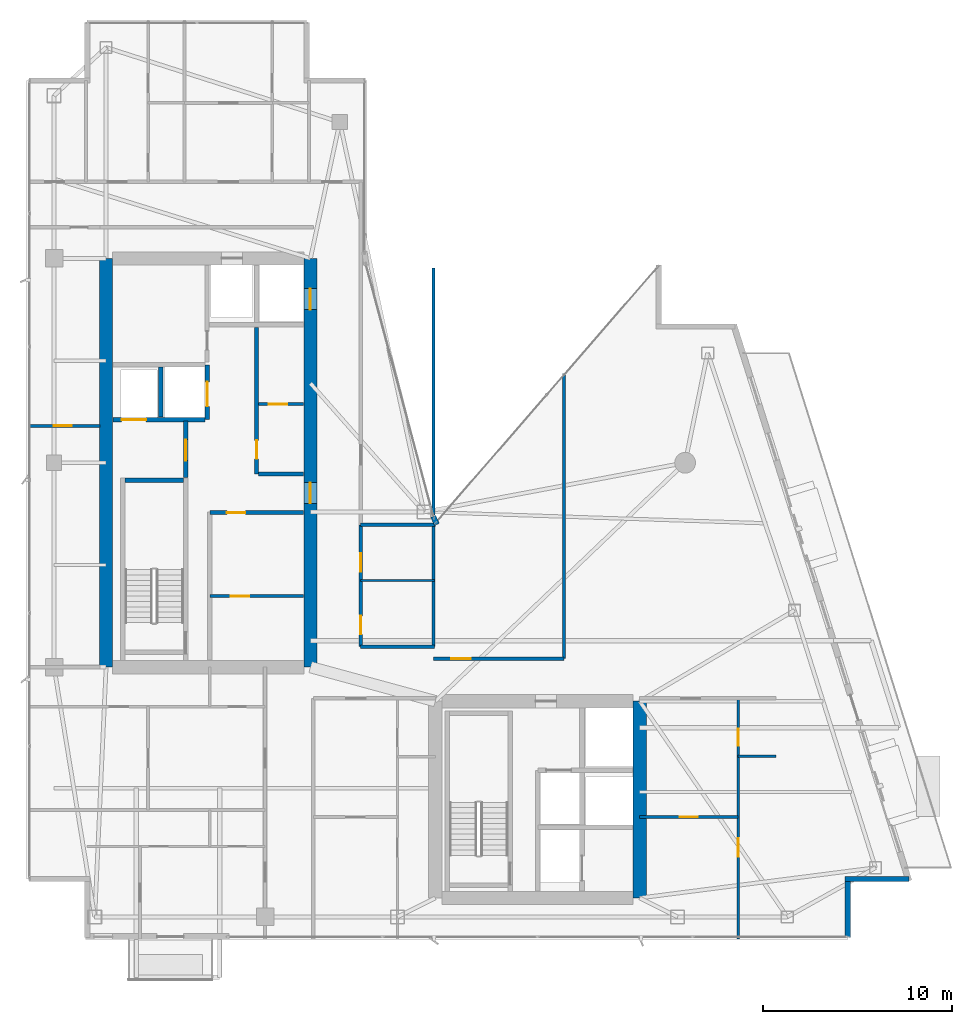
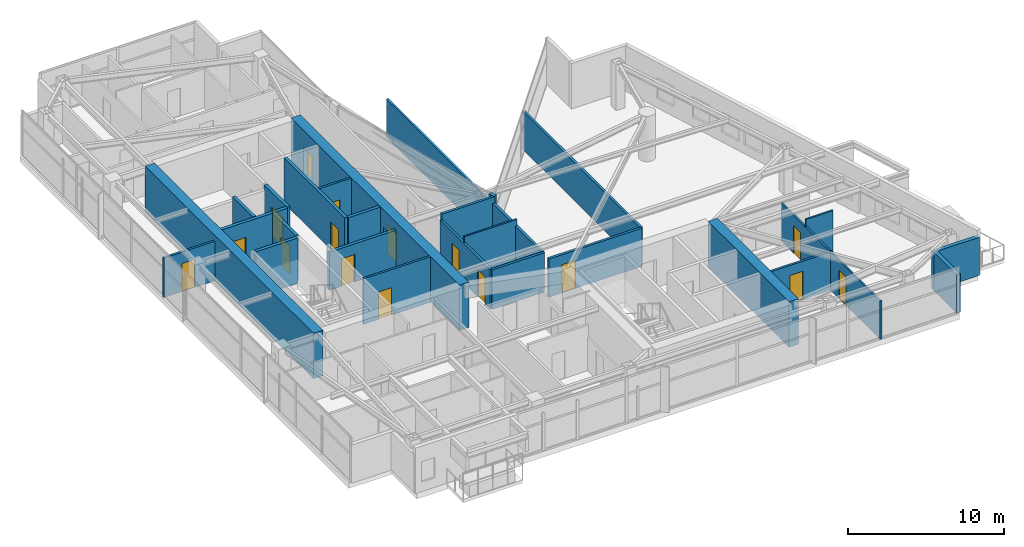
# One storey, part 24 of 28: 28 walls, 16 doors, 16 openings.
"""IFC4 building model written with IfcOpenShell, lengths in metres."""

from ifc_helpers import new_model, si_unit, direction, frame, frame_2d, origin, place, context, subcontext, project, spatial, rectangle, extrude, material, layer, layer_set, type_object, element, fill, save


model = new_model("IFC4")

# Units and contexts
model_context = context("Model", 3, precision=1e-05, world=origin(), true_north=direction((0.0, 1.0)))
body_context = subcontext(model_context, "Body", "Model", "MODEL_VIEW")
ifc_project = project(units=[si_unit("LENGTHUNIT", "METRE"), si_unit("AREAUNIT", "SQUARE_METRE"), si_unit("VOLUMEUNIT", "CUBIC_METRE"), si_unit("PLANEANGLEUNIT", "RADIAN"), si_unit("MASSUNIT", "GRAM", prefix="KILO")], contexts=[model_context])

# Site, building, storey
site_placement = place(None, origin())
site = spatial("IfcSite", under=ifc_project, at=site_placement, CompositionType="ELEMENT")
building_placement = place(site_placement, origin())
building = spatial("IfcBuilding", under=site, at=building_placement, Name="Calvorn Quay Hotel", CompositionType="ELEMENT")
storey_placement = place(building_placement, frame((0.0, 0.0, 243.800048828125)))
storey = spatial("IfcBuildingStorey", under=building, at=storey_placement, Name="L60", CompositionType="ELEMENT", Elevation=243.800048828125)

# Wall
ifc_material_1 = material(Name="Concrete C45", Category="concrete")
ifc_layer_1 = layer(ifc_material_1, 0.699951171875)
ifc_layer_set_1 = layer_set([ifc_layer_1], Name="WL-CORE-700")
wall_type_1 = type_object("IfcWallType", Name="WL-CORE-700", PredefinedType="SHEAR", material=ifc_layer_set_1)
wall_1_placement = place(storey_placement, frame((4.199951171875, 16.800048828125, 0.0), z_axis=(0.0, 0.0, 1.0), x_axis=(0.0, 1.0, 0.0)))
element("IfcWall", 1, at=wall_1_placement, inside=storey, type_object=wall_type_1, Name="West Core Shear Wall W (L60)", PredefinedType="SHEAR", context=body_context, shape_type="SweptSolid", body=[
    extrude(rectangle(XDim=21.599853515625, YDim=0.699951171875, at=frame_2d((10.7998046875, 0.0))), origin(), (0.0, 0.0, 1.0), 3.56005859375),
])

# Wall, openings, doors
wall_2_placement = place(storey_placement, frame((15.0, 16.800048828125, 0.0), z_axis=(0.0, 0.0, 1.0), x_axis=(0.0, 1.0, 0.0)))
wall_2 = element("IfcWall", 2, at=wall_2_placement, inside=storey, type_object=wall_type_1, Name="West Core Shear Wall E (L60)", PredefinedType="SHEAR", context=body_context, shape_type="SweptSolid", body=[
    extrude(rectangle(XDim=21.599853515625, YDim=0.699951171875, at=frame_2d((10.7998046875, 0.0))), origin(), (0.0, 0.0, 1.0), 3.56005859375),
])
opening_1_placement = place(wall_2_placement, frame((8.64990234375, 0.0, 0.0)))
opening_1 = element("IfcOpeningElement", 3, at=opening_1_placement, cuts=wall_2, Name="Opening D-L60-CW1", PredefinedType="OPENING", context=body_context, shape_type="SweptSolid", body=[
    extrude(rectangle(XDim=1.10009765625, YDim=2.199951171875, at=frame_2d((0.550048828125, 1.10009765625))), frame((0.0, 0.35986328125, 0.0), z_axis=(0.0, -1.0, 0.0), x_axis=(1.0, 0.0, 0.0)), (0.0, 0.0, 1.0), 0.719970703125),
])
opening_2_placement = place(wall_2_placement, frame((18.89990234375, 0.0, 0.0)))
opening_2 = element("IfcOpeningElement", 4, at=opening_2_placement, cuts=wall_2, Name="Opening LD-L60-H1", PredefinedType="OPENING", context=body_context, shape_type="SweptSolid", body=[
    extrude(rectangle(XDim=1.10009765625, YDim=2.199951171875, at=frame_2d((0.550048828125, 1.10009765625))), frame((0.0, 0.35986328125, 0.0), z_axis=(0.0, -1.0, 0.0), x_axis=(1.0, 0.0, 0.0)), (0.0, 0.0, 1.0), 0.719970703125),
])
ifc_material_2 = material(Name="Smoke-Sealed Steel Class A Fire Door", Category="steel")
door_type_1 = type_object("IfcDoorType", Name="DR-FFLOBBY-1100", OperationType="NOTDEFINED", PredefinedType="DOOR", material=ifc_material_2)
door_1_placement = place(opening_1_placement, origin())
door_1 = element("IfcDoor", 5, at=door_1_placement, inside=storey, type_object=door_type_1, Name="West Core Vestibule Fire Door (L60)", OperationType="SINGLE_SWING_LEFT", OverallHeight=2.199951171875, OverallWidth=1.10009765625, PredefinedType="DOOR", context=body_context, shape_type="SweptSolid", body=[
    extrude(rectangle(XDim=1.10009765625, YDim=2.199951171875, at=frame_2d((0.550048828125, 1.10009765625))), frame((0.0, 0.02490234375, 0.0), z_axis=(0.0, -1.0, 0.0), x_axis=(1.0, 0.0, 0.0)), (0.0, 0.0, 1.0), 0.050048828125),
])
fill(opening_1, door_1)
ifc_material_3 = material(Name="Brushed Stainless Steel Sliding Lift Landing Door", Category="steel")
door_type_2 = type_object("IfcDoorType", Name="DR-LIFT-PASS-1100", OperationType="NOTDEFINED", PredefinedType="DOOR", material=ifc_material_3)
door_2_placement = place(opening_2_placement, origin())
door_2 = element("IfcDoor", 6, at=door_2_placement, inside=storey, type_object=door_type_2, Name="High-Rise Lift PL-H1 Landing Door (L60)", OperationType="DOUBLE_DOOR_SLIDING", OverallHeight=2.199951171875, OverallWidth=1.10009765625, PredefinedType="DOOR", context=body_context, shape_type="SweptSolid", body=[
    extrude(rectangle(XDim=1.10009765625, YDim=2.199951171875, at=frame_2d((0.550048828125, 1.10009765625))), frame((0.0, 0.02490234375, 0.0), z_axis=(0.0, -1.0, 0.0), x_axis=(1.0, 0.0, 0.0)), (0.0, 0.0, 1.0), 0.050048828125),
])
fill(opening_2, door_2)

# Walls
wall_3_placement = place(storey_placement, frame((32.39990234375, 4.60009765625, 0.0), z_axis=(0.0, 0.0, 1.0), x_axis=(0.0, 1.0, 0.0)))
element("IfcWall", 7, at=wall_3_placement, inside=storey, type_object=wall_type_1, Name="East Core Shear Wall E (L60)", PredefinedType="SHEAR", context=body_context, shape_type="SweptSolid", body=[
    extrude(rectangle(XDim=10.39990234375, YDim=0.699951171875, at=frame_2d((5.199951171875, 0.0))), origin(), (0.0, 0.0, 1.0), 3.56005859375),
])
ifc_material_4 = material(Name="Acoustic Fireboard Steel-Stud Partition", Category="steel")
ifc_layer_2 = layer(ifc_material_4, 0.179931640625)
ifc_layer_set_2 = layer_set([ifc_layer_2], Name="WL-CORR-FIRE-180")
wall_type_2 = type_object("IfcWallType", Name="WL-CORR-FIRE-180", PredefinedType="PARTITIONING", material=ifc_layer_set_2)
wall_4_placement = place(storey_placement, frame((17.64990234375, 17.8798828125, 0.0), z_axis=(0.0, 0.0, 1.0), x_axis=(1.0, 0.0, 0.0)))
element("IfcWall", 8, at=wall_4_placement, inside=storey, type_object=wall_type_2, Name="Partition Wall L60-WL-HK-S", PredefinedType="PARTITIONING", context=body_context, shape_type="SweptSolid", body=[
    extrude(rectangle(XDim=3.900146484375, YDim=0.179931640625, at=frame_2d((1.9501953125, 0.0))), origin(), (0.0, 0.0, 1.0), 3.08984375),
])
wall_5_placement = place(storey_placement, frame((17.64990234375, 24.320068359375, 0.0), z_axis=(0.0, 0.0, 1.0), x_axis=(1.0, 0.0, 0.0)))
element("IfcWall", 9, at=wall_5_placement, inside=storey, type_object=wall_type_2, Name="Partition Wall L60-WL-HK-N", PredefinedType="PARTITIONING", context=body_context, shape_type="SweptSolid", body=[
    extrude(rectangle(XDim=3.9501953125, YDim=0.179931640625, at=frame_2d((1.97509765625, 0.0))), origin(), (0.0, 0.0, 1.0), 3.56005859375),
])
wall_6_placement = place(storey_placement, frame((21.5, 17.8798828125, 0.0), z_axis=(0.0, 0.0, 1.0), x_axis=(0.0, 1.0, 0.0)))
element("IfcWall", 10, at=wall_6_placement, inside=storey, type_object=wall_type_2, Name="Partition Wall L60-WL-HK-E", PredefinedType="PARTITIONING", context=body_context, shape_type="SweptSolid", body=[
    extrude(rectangle(XDim=6.440185546875, YDim=0.179931640625, at=frame_2d((3.22021484375, 0.0))), origin(), (0.0, 0.0, 1.0), 3.08984375),
])

# Wall, openings, doors
wall_7_placement = place(storey_placement, frame((17.64990234375, 17.8798828125, 0.0), z_axis=(0.0, 0.0, 1.0), x_axis=(0.0, 1.0, 0.0)))
wall_7 = element("IfcWall", 11, at=wall_7_placement, inside=storey, type_object=wall_type_2, Name="Partition Wall L60-WL-HK-W", PredefinedType="PARTITIONING", context=body_context, shape_type="SweptSolid", body=[
    extrude(rectangle(XDim=6.440185546875, YDim=0.179931640625, at=frame_2d((3.22021484375, 0.0))), origin(), (0.0, 0.0, 1.0), 3.08984375),
])
opening_3_placement = place(wall_7_placement, frame((0.64990234375, 0.0, 0.0)))
opening_3 = element("IfcOpeningElement", 12, at=opening_3_placement, cuts=wall_7, Name="Opening D-L60-HK", PredefinedType="OPENING", context=body_context, shape_type="SweptSolid", body=[
    extrude(rectangle(XDim=0.97998046875, YDim=2.14990234375, at=frame_2d((0.489990234375, 1.074951171875))), frame((0.0, 0.099853515625, 0.0), z_axis=(0.0, -1.0, 0.0), x_axis=(1.0, 0.0, 0.0)), (0.0, 0.0, 1.0), 0.199951171875),
])
opening_4_placement = place(wall_7_placement, frame((3.969970703125, 0.0, 0.0)))
opening_4 = element("IfcOpeningElement", 13, at=opening_4_placement, cuts=wall_7, Name="Opening D-L60-NCP", PredefinedType="OPENING", context=body_context, shape_type="SweptSolid", body=[
    extrude(rectangle(XDim=0.9599609375, YDim=2.199951171875, at=frame_2d((0.47998046875, 1.10009765625))), frame((0.0, 0.099853515625, 0.0), z_axis=(0.0, -1.0, 0.0), x_axis=(1.0, 0.0, 0.0)), (0.0, 0.0, 1.0), 0.199951171875),
])
ifc_material_5 = material(Name="Painted Steel Housekeeping/Riser Fire Door", Category="steel")
door_type_3 = type_object("IfcDoorType", Name="DR-SERVICE-980", OperationType="NOTDEFINED", PredefinedType="DOOR", material=ifc_material_5)
door_3_placement = place(opening_3_placement, origin())
door_3 = element("IfcDoor", 14, at=door_3_placement, inside=storey, type_object=door_type_3, Name="Floor Housekeeping Door (L60)", OperationType="SINGLE_SWING_LEFT", OverallHeight=2.14990234375, OverallWidth=0.97998046875, PredefinedType="DOOR", context=body_context, shape_type="SweptSolid", body=[
    extrude(rectangle(XDim=0.97998046875, YDim=2.14990234375, at=frame_2d((0.489990234375, 1.074951171875))), frame((0.0, 0.02490234375, 0.0), z_axis=(0.0, -1.0, 0.0), x_axis=(1.0, 0.0, 0.0)), (0.0, 0.0, 1.0), 0.050048828125),
])
fill(opening_3, door_3)
ifc_material_6 = material(Name="Solid Timber Internal Suite Door", Category="wood")
door_type_4 = type_object("IfcDoorType", Name="DR-SUITE-INT-960", OperationType="NOTDEFINED", PredefinedType="DOOR", material=ifc_material_6)
door_4_placement = place(opening_4_placement, origin())
door_4 = element("IfcDoor", 15, at=door_4_placement, inside=storey, type_object=door_type_4, Name="Reading Alcove Door (L60)", OperationType="SINGLE_SWING_RIGHT", OverallHeight=2.199951171875, OverallWidth=0.9599609375, PredefinedType="DOOR", context=body_context, shape_type="SweptSolid", body=[
    extrude(rectangle(XDim=0.9599609375, YDim=2.199951171875, at=frame_2d((0.47998046875, 1.10009765625))), frame((0.0, 0.02490234375, 0.0), z_axis=(0.0, -1.0, 0.0), x_axis=(1.0, 0.0, 0.0)), (0.0, 0.0, 1.0), 0.050048828125),
])
fill(opening_4, door_4)

# Wall, opening, door
wall_8_placement = place(storey_placement, frame((21.5, 17.25, 0.0), z_axis=(0.0, 0.0, 1.0), x_axis=(1.0, 0.0, 0.0)))
wall_8 = element("IfcWall", 16, at=wall_8_placement, inside=storey, type_object=wall_type_2, Name="Partition Wall L60-WL-CORR-NE-N", PredefinedType="PARTITIONING", context=body_context, shape_type="SweptSolid", body=[
    extrude(rectangle(XDim=6.89990234375, YDim=0.179931640625, at=frame_2d((3.449951171875, 0.0))), origin(), (0.0, 0.0, 1.0), 2.989990234375),
])
opening_5_placement = place(wall_8_placement, frame((0.949951171875, 0.0, 0.0)))
opening_5 = element("IfcOpeningElement", 17, at=opening_5_placement, cuts=wall_8, Name="Opening D-L60-NS1", PredefinedType="OPENING", context=body_context, shape_type="SweptSolid", body=[
    extrude(rectangle(XDim=1.02001953125, YDim=2.199951171875, at=frame_2d((0.510009765625, 1.10009765625))), frame((0.0, 0.099853515625, 0.0), z_axis=(0.0, -1.0, 0.0), x_axis=(1.0, 0.0, 0.0)), (0.0, 0.0, 1.0), 0.199951171875),
])
ifc_material_7 = material(Name="Solid-Core Walnut Veneer Hotel Fire Door")
door_type_5 = type_object("IfcDoorType", Name="DR-GUEST-ENTRY-1020", OperationType="NOTDEFINED", PredefinedType="DOOR", material=ifc_material_7)
door_5_placement = place(opening_5_placement, origin())
door_5 = element("IfcDoor", 18, at=door_5_placement, inside=storey, type_object=door_type_5, Name="Conservatory Salon Door 1 (L60)", OperationType="SINGLE_SWING_RIGHT", OverallHeight=2.199951171875, OverallWidth=1.02001953125, PredefinedType="DOOR", context=body_context, shape_type="SweptSolid", body=[
    extrude(rectangle(XDim=1.02001953125, YDim=2.199951171875, at=frame_2d((0.510009765625, 1.10009765625))), frame((0.0, 0.02490234375, 0.0), z_axis=(0.0, -1.0, 0.0), x_axis=(1.0, 0.0, 0.0)), (0.0, 0.0, 1.0), 0.050048828125),
])
fill(opening_5, door_5)

# Walls
wall_9_placement = place(storey_placement, frame((28.39990234375, 17.25, 0.0), z_axis=(0.0, 0.0, 1.0), x_axis=(0.0, 1.0, 0.0)))
element("IfcWall", 19, at=wall_9_placement, inside=storey, type_object=wall_type_2, Name="Partition Wall L60-WL-NE-END-E", PredefinedType="PARTITIONING", context=body_context, shape_type="SweptSolid", body=[
    extrude(rectangle(XDim=15.070068359375, YDim=0.179931640625, at=frame_2d((7.53515625, 0.0))), origin(), (0.0, 0.0, 1.0), 2.989990234375),
])
ifc_material_8 = material(Name="Moisture-Resistant Tile-Backed Partition")
ifc_layer_3 = layer(ifc_material_8, 0.125)
ifc_layer_set_3 = layer_set([ifc_layer_3], Name="WL-ENSUITE-125")
wall_type_3 = type_object("IfcWallType", Name="WL-ENSUITE-125", PredefinedType="PARTITIONING", material=ifc_layer_set_3)
wall_10_placement = place(storey_placement, frame((17.64990234375, 21.3798828125, 0.0), z_axis=(0.0, 0.0, 1.0), x_axis=(1.0, 0.0, 0.0)))
element("IfcWall", 20, at=wall_10_placement, inside=storey, type_object=wall_type_3, Name="Partition Wall L60-WL-HK-M", PredefinedType="PARTITIONING", context=body_context, shape_type="SweptSolid", body=[
    extrude(rectangle(XDim=3.900146484375, YDim=0.125, at=frame_2d((1.9501953125, 0.0))), origin(), (0.0, 0.0, 1.0), 3.56005859375),
])
wall_11_placement = place(storey_placement, frame((37.60009765625, 12.10009765625, 0.0), z_axis=(0.0, 0.0, 1.0), x_axis=(1.0, 0.0, 0.0)))
element("IfcWall", 21, at=wall_11_placement, inside=storey, type_object=wall_type_3, Name="Partition Wall L60-WL-U06-BDV", PredefinedType="PARTITIONING", context=body_context, shape_type="SweptSolid", body=[
    extrude(rectangle(XDim=2.0, YDim=0.125, at=frame_2d((1.0, 0.0))), origin(), (0.0, 0.0, 1.0), 3.56005859375),
])

# Wall, openings, doors
wall_12_placement = place(storey_placement, frame((37.60009765625, 2.43994140625, 0.0), z_axis=(0.0, 0.0, 1.0), x_axis=(0.0, 1.0, 0.0)))
wall_12 = element("IfcWall", 22, at=wall_12_placement, inside=storey, type_object=wall_type_3, Name="Partition Wall L60-WL-U06-BV", PredefinedType="PARTITIONING", context=body_context, shape_type="SweptSolid", body=[
    extrude(rectangle(XDim=12.7099609375, YDim=0.125, at=frame_2d((6.35498046875, 0.0))), origin(), (0.0, 0.0, 1.0), 2.989990234375),
])
opening_6_placement = place(wall_12_placement, frame((4.35009765625, 0.0, 0.0)))
opening_6 = element("IfcOpeningElement", 23, at=opening_6_placement, cuts=wall_12, Name="Opening D-L60-S06", PredefinedType="OPENING", context=body_context, shape_type="SweptSolid", body=[
    extrude(rectangle(XDim=0.9599609375, YDim=2.199951171875, at=frame_2d((0.47998046875, 1.10009765625))), frame((0.0, 0.072509765625, 0.0), z_axis=(0.0, -1.0, 0.0), x_axis=(1.0, 0.0, 0.0)), (0.0, 0.0, 1.0), 0.14501953125),
])
opening_7_placement = place(wall_12_placement, frame((10.2099609375, 0.0, 0.0)))
opening_7 = element("IfcOpeningElement", 24, at=opening_7_placement, cuts=wall_12, Name="Opening D-L60-E06", PredefinedType="OPENING", context=body_context, shape_type="SweptSolid", body=[
    extrude(rectangle(XDim=0.89990234375, YDim=2.14990234375, at=frame_2d((0.449951171875, 1.074951171875))), frame((0.0, 0.072509765625, 0.0), z_axis=(0.0, -1.0, 0.0), x_axis=(1.0, 0.0, 0.0)), (0.0, 0.0, 1.0), 0.14501953125),
])
ifc_material_9 = material(Name="Moisture-Sealed Timber En-Suite Door", Category="wood")
door_type_6 = type_object("IfcDoorType", Name="DR-ENSUITE-900", OperationType="NOTDEFINED", PredefinedType="DOOR", material=ifc_material_9)
door_6_placement = place(opening_7_placement, origin())
door_6 = element("IfcDoor", 25, at=door_6_placement, inside=storey, type_object=door_type_6, Name="En-Suite Door 06", OperationType="SINGLE_SWING_RIGHT", OverallHeight=2.14990234375, OverallWidth=0.89990234375, PredefinedType="DOOR", context=body_context, shape_type="SweptSolid", body=[
    extrude(rectangle(XDim=0.89990234375, YDim=2.14990234375, at=frame_2d((0.449951171875, 1.074951171875))), frame((0.0, 0.02490234375, 0.0), z_axis=(0.0, -1.0, 0.0), x_axis=(1.0, 0.0, 0.0)), (0.0, 0.0, 1.0), 0.050048828125),
])
fill(opening_7, door_6)
door_7_placement = place(opening_6_placement, origin())
door_7 = element("IfcDoor", 26, at=door_7_placement, inside=storey, type_object=door_type_4, Name="Private Media Cinema Door 06", OperationType="SINGLE_SWING_LEFT", OverallHeight=2.199951171875, OverallWidth=0.9599609375, PredefinedType="DOOR", context=body_context, shape_type="SweptSolid", body=[
    extrude(rectangle(XDim=0.9599609375, YDim=2.199951171875, at=frame_2d((0.47998046875, 1.10009765625))), frame((0.0, 0.02490234375, 0.0), z_axis=(0.0, -1.0, 0.0), x_axis=(1.0, 0.0, 0.0)), (0.0, 0.0, 1.0), 0.050048828125),
])
fill(opening_6, door_7)

# Walls
ifc_material_10 = material(Name="Concrete C40", Category="concrete")
ifc_layer_4 = layer(ifc_material_10, 0.320068359375)
ifc_layer_set_4 = layer_set([ifc_layer_4], Name="WL-EXT-SPANDREL-320")
wall_type_4 = type_object("IfcWallType", Name="WL-EXT-SPANDREL-320", PredefinedType="SOLIDWALL", material=ifc_layer_set_4)
wall_13_placement = place(storey_placement, frame((21.679931640625, 24.340087890625, 0.0), z_axis=(0.0, 0.0, 1.0), x_axis=(-0.40758134973, 0.913168901875, 0.0)))
element("IfcWall", 27, at=wall_13_placement, inside=storey, type_object=wall_type_4, Name="Inner Court Corner Pier L60-ICJ1", PredefinedType="SOLIDWALL", context=body_context, shape_type="SweptSolid", body=[
    extrude(rectangle(XDim=0.470703125, YDim=0.280029296875, at=frame_2d((0.2353515625, 0.0))), origin(), (0.0, 0.0, 1.0), 3.56005859375),
])
wall_14_placement = place(storey_placement, frame((43.39990234375, 2.52001953125, 0.0), z_axis=(0.0, 0.0, 1.0), x_axis=(0.0, 1.0, 0.0)))
element("IfcWall", 28, at=wall_14_placement, inside=storey, type_object=wall_type_4, Name="Notched Corner Spandrel L60-SE1", PredefinedType="SOLIDWALL", context=body_context, shape_type="SweptSolid", body=[
    extrude(rectangle(XDim=2.93994140625, YDim=0.280029296875, at=frame_2d((1.469970703125, 0.0))), origin(), (0.0, 0.0, 1.0), 2.989990234375),
])
wall_15_placement = place(storey_placement, frame((43.260009765625, 5.60009765625, 0.0), z_axis=(0.0, 0.0, 1.0), x_axis=(1.0, 0.0, 0.0)))
element("IfcWall", 29, at=wall_15_placement, inside=storey, type_object=wall_type_4, Name="Notched Corner Spandrel L60-SE2", PredefinedType="SOLIDWALL", context=body_context, shape_type="SweptSolid", body=[
    extrude(rectangle(XDim=3.3798828125, YDim=0.280029296875, at=frame_2d((1.68994140625, 0.0))), origin(), (0.0, 0.0, 1.0), 2.989990234375),
])

# Wall, opening, door
ifc_material_11 = material(Name="Double-Stud Acoustic Gypsum Partition")
ifc_layer_5 = layer(ifc_material_11, 0.159912109375)
ifc_layer_set_5 = layer_set([ifc_layer_5], Name="WL-INTERSUITE-160")
wall_type_5 = type_object("IfcWallType", Name="WL-INTERSUITE-160", PredefinedType="PARTITIONING", material=ifc_layer_set_5)
wall_16_placement = place(storey_placement, frame((9.679931640625, 20.550048828125, 0.0), z_axis=(0.0, 0.0, 1.0), x_axis=(1.0, 0.0, 0.0)))
wall_16 = element("IfcWall", 30, at=wall_16_placement, inside=storey, type_object=wall_type_5, Name="Partition Wall L60-WL-CWW-FR-SPLIT", PredefinedType="PARTITIONING", context=body_context, shape_type="SweptSolid", body=[
    extrude(rectangle(XDim=4.949951171875, YDim=0.159912109375, at=frame_2d((2.47509765625, 0.0))), origin(), (0.0, 0.0, 1.0), 3.56005859375),
])
opening_8_placement = place(wall_16_placement, frame((1.10009765625, 0.0, 0.0)))
opening_8 = element("IfcOpeningElement", 31, at=opening_8_placement, cuts=wall_16, Name="Opening D-L60-FRL1", PredefinedType="OPENING", context=body_context, shape_type="SweptSolid", body=[
    extrude(rectangle(XDim=0.97998046875, YDim=2.14990234375, at=frame_2d((0.489990234375, 1.074951171875))), frame((0.0, 0.08984375, 0.0), z_axis=(0.0, -1.0, 0.0), x_axis=(1.0, 0.0, 0.0)), (0.0, 0.0, 1.0), 0.179931640625),
])
door_8_placement = place(opening_8_placement, origin())
door_8 = element("IfcDoor", 32, at=door_8_placement, inside=storey, type_object=door_type_3, Name="Linen Store Room Door (L60)", OperationType="SINGLE_SWING_LEFT", OverallHeight=2.14990234375, OverallWidth=0.97998046875, PredefinedType="DOOR", context=body_context, shape_type="SweptSolid", body=[
    extrude(rectangle(XDim=0.97998046875, YDim=2.14990234375, at=frame_2d((0.489990234375, 1.074951171875))), frame((0.0, 0.02490234375, 0.0), z_axis=(0.0, -1.0, 0.0), x_axis=(1.0, 0.0, 0.0)), (0.0, 0.0, 1.0), 0.050048828125),
])
fill(opening_8, door_8)

wall_17_placement = place(storey_placement, frame((12.25, 30.699951171875, 0.0), z_axis=(0.0, 0.0, 1.0), x_axis=(1.0, 0.0, 0.0)))
wall_17 = element("IfcWall", 33, at=wall_17_placement, inside=storey, type_object=wall_type_5, Name="Partition Wall L60-WL-CWW-FM-SPLIT", PredefinedType="PARTITIONING", context=body_context, shape_type="SweptSolid", body=[
    extrude(rectangle(XDim=2.3798828125, YDim=0.159912109375, at=frame_2d((1.18994140625, 0.0))), origin(), (0.0, 0.0, 1.0), 3.56005859375),
])
opening_9_placement = place(wall_17_placement, frame((0.550048828125, 0.0, 0.0)))
opening_9 = element("IfcOpeningElement", 34, at=opening_9_placement, cuts=wall_17, Name="Opening D-L60-FM2", PredefinedType="OPENING", context=body_context, shape_type="SweptSolid", body=[
    extrude(rectangle(XDim=0.97998046875, YDim=2.14990234375, at=frame_2d((0.489990234375, 1.074951171875))), frame((0.0, 0.08984375, 0.0), z_axis=(0.0, -1.0, 0.0), x_axis=(1.0, 0.0, 0.0)), (0.0, 0.0, 1.0), 0.179931640625),
])
door_9_placement = place(opening_9_placement, origin())
door_9 = element("IfcDoor", 35, at=door_9_placement, inside=storey, type_object=door_type_3, Name="Comms Room Door (L60)", OperationType="SINGLE_SWING_LEFT", OverallHeight=2.14990234375, OverallWidth=0.97998046875, PredefinedType="DOOR", context=body_context, shape_type="SweptSolid", body=[
    extrude(rectangle(XDim=0.97998046875, YDim=2.14990234375, at=frame_2d((0.489990234375, 1.074951171875))), frame((0.0, 0.02490234375, 0.0), z_axis=(0.0, -1.0, 0.0), x_axis=(1.0, 0.0, 0.0)), (0.0, 0.0, 1.0), 0.050048828125),
])
fill(opening_9, door_9)

wall_18_placement = place(storey_placement, frame((0.080078125, 29.550048828125, 0.0), z_axis=(0.0, 0.0, 1.0), x_axis=(1.0, 0.0, 0.0)))
wall_18 = element("IfcWall", 36, at=wall_18_placement, inside=storey, type_object=wall_type_5, Name="Partition Wall L60-WL-WBAY-DIV", PredefinedType="PARTITIONING", context=body_context, shape_type="SweptSolid", body=[
    extrude(rectangle(XDim=3.7998046875, YDim=0.159912109375, at=frame_2d((1.89990234375, 0.0))), origin(), (0.0, 0.0, 1.0), 3.08984375),
])
opening_10_placement = place(wall_18_placement, frame((1.35009765625, 0.0, 0.0)))
opening_10 = element("IfcOpeningElement", 37, at=opening_10_placement, cuts=wall_18, Name="Opening D-L60-WBD", PredefinedType="OPENING", context=body_context, shape_type="SweptSolid", body=[
    extrude(rectangle(XDim=0.9599609375, YDim=2.199951171875, at=frame_2d((0.47998046875, 1.10009765625))), frame((0.0, 0.08984375, 0.0), z_axis=(0.0, -1.0, 0.0), x_axis=(1.0, 0.0, 0.0)), (0.0, 0.0, 1.0), 0.179931640625),
])
door_10_placement = place(opening_10_placement, origin())
door_10 = element("IfcDoor", 38, at=door_10_placement, inside=storey, type_object=door_type_4, Name="West Bay Connecting Door (L60)", OperationType="SINGLE_SWING_LEFT", OverallHeight=2.199951171875, OverallWidth=0.9599609375, PredefinedType="DOOR", context=body_context, shape_type="SweptSolid", body=[
    extrude(rectangle(XDim=0.9599609375, YDim=2.199951171875, at=frame_2d((0.47998046875, 1.10009765625))), frame((0.0, 0.02490234375, 0.0), z_axis=(0.0, -1.0, 0.0), x_axis=(1.0, 0.0, 0.0)), (0.0, 0.0, 1.0), 0.050048828125),
])
fill(opening_10, door_10)

wall_19_placement = place(storey_placement, frame((32.39990234375, 8.8798828125, 0.0), z_axis=(0.0, 0.0, 1.0), x_axis=(1.0, 0.0, 0.0)))
wall_19 = element("IfcWall", 39, at=wall_19_placement, inside=storey, type_object=wall_type_5, Name="Partition Wall L60-WL-U06-MSP", PredefinedType="PARTITIONING", context=body_context, shape_type="SweptSolid", body=[
    extrude(rectangle(XDim=5.2001953125, YDim=0.159912109375, at=frame_2d((2.60009765625, 0.0))), origin(), (0.0, 0.0, 1.0), 2.989990234375),
])
opening_11_placement = place(wall_19_placement, frame((2.1201171875, 0.0, 0.0)))
opening_11 = element("IfcOpeningElement", 40, at=opening_11_placement, cuts=wall_19, Name="Opening D-L60-M06", PredefinedType="OPENING", context=body_context, shape_type="SweptSolid", body=[
    extrude(rectangle(XDim=0.9599609375, YDim=2.199951171875, at=frame_2d((0.47998046875, 1.10009765625))), frame((0.0, 0.08984375, 0.0), z_axis=(0.0, -1.0, 0.0), x_axis=(1.0, 0.0, 0.0)), (0.0, 0.0, 1.0), 0.179931640625),
])
door_11_placement = place(opening_11_placement, origin())
door_11 = element("IfcDoor", 41, at=door_11_placement, inside=storey, type_object=door_type_4, Name="Suite Bedroom Door 06", OperationType="SINGLE_SWING_LEFT", OverallHeight=2.199951171875, OverallWidth=0.9599609375, PredefinedType="DOOR", context=body_context, shape_type="SweptSolid", body=[
    extrude(rectangle(XDim=0.9599609375, YDim=2.199951171875, at=frame_2d((0.47998046875, 1.10009765625))), frame((0.0, 0.02490234375, 0.0), z_axis=(0.0, -1.0, 0.0), x_axis=(1.0, 0.0, 0.0)), (0.0, 0.0, 1.0), 0.050048828125),
])
fill(opening_11, door_11)

# Wall
wall_20_placement = place(storey_placement, frame((21.5, 24.85009765625, 0.0), z_axis=(0.0, 0.0, 1.0), x_axis=(0.0, 1.0, 0.0)))
element("IfcWall", 42, at=wall_20_placement, inside=storey, type_object=wall_type_5, Name="Partition Wall L60-WL-NC-UPPER-E", PredefinedType="PARTITIONING", context=body_context, shape_type="SweptSolid", body=[
    extrude(rectangle(XDim=13.0498046875, YDim=0.159912109375, at=frame_2d((6.52490234375, 0.0))), origin(), (0.0, 0.0, 1.0), 2.989990234375),
])

# Wall, opening, door
ifc_material_12 = material(Name="Autoclaved Aerated Masonry Block", Category="masonry")
ifc_layer_6 = layer(ifc_material_12, 0.219970703125)
ifc_layer_set_6 = layer_set([ifc_layer_6], Name="WL-LOBBY-FIRE-220")
wall_type_6 = type_object("IfcWallType", Name="WL-LOBBY-FIRE-220", PredefinedType="SOLIDWALL", material=ifc_layer_set_6)
wall_21_placement = place(storey_placement, frame((9.679931640625, 24.969970703125, 0.0), z_axis=(0.0, 0.0, 1.0), x_axis=(1.0, 0.0, 0.0)))
wall_21 = element("IfcWall", 43, at=wall_21_placement, inside=storey, type_object=wall_type_6, Name="Partition Wall L60-WL-CWW-FR-N", PredefinedType="SOLIDWALL", context=body_context, shape_type="SweptSolid", body=[
    extrude(rectangle(XDim=4.949951171875, YDim=0.219970703125, at=frame_2d((2.47509765625, 0.0))), origin(), (0.0, 0.0, 1.0), 2.989990234375),
])
opening_12_placement = place(wall_21_placement, frame((0.89990234375, 0.0, 0.0)))
opening_12 = element("IfcOpeningElement", 44, at=opening_12_placement, cuts=wall_21, Name="Opening D-L60-FRL2", PredefinedType="OPENING", context=body_context, shape_type="SweptSolid", body=[
    extrude(rectangle(XDim=0.97998046875, YDim=2.14990234375, at=frame_2d((0.489990234375, 1.074951171875))), frame((0.0, 0.119873046875, 0.0), z_axis=(0.0, -1.0, 0.0), x_axis=(1.0, 0.0, 0.0)), (0.0, 0.0, 1.0), 0.239990234375),
])
door_12_placement = place(opening_12_placement, origin())
door_12 = element("IfcDoor", 45, at=door_12_placement, inside=storey, type_object=door_type_3, Name="Beverage Pantry Door (L60)", OperationType="SINGLE_SWING_RIGHT", OverallHeight=2.14990234375, OverallWidth=0.97998046875, PredefinedType="DOOR", context=body_context, shape_type="SweptSolid", body=[
    extrude(rectangle(XDim=0.97998046875, YDim=2.14990234375, at=frame_2d((0.489990234375, 1.074951171875))), frame((0.0, 0.02490234375, 0.0), z_axis=(0.0, -1.0, 0.0), x_axis=(1.0, 0.0, 0.0)), (0.0, 0.0, 1.0), 0.050048828125),
])
fill(opening_12, door_12)

# Wall
wall_22_placement = place(storey_placement, frame((12.25, 27.0, 0.0), z_axis=(0.0, 0.0, 1.0), x_axis=(1.0, 0.0, 0.0)))
element("IfcWall", 46, at=wall_22_placement, inside=storey, type_object=wall_type_6, Name="Partition Wall L60-WL-CWW-FM-S", PredefinedType="SOLIDWALL", context=body_context, shape_type="SweptSolid", body=[
    extrude(rectangle(XDim=2.3798828125, YDim=0.219970703125, at=frame_2d((1.18994140625, 0.0))), origin(), (0.0, 0.0, 1.0), 3.56005859375),
])

# Wall, opening, door
wall_23_placement = place(storey_placement, frame((12.14990234375, 27.0, 0.0), z_axis=(0.0, 0.0, 1.0), x_axis=(0.0, 1.0, 0.0)))
wall_23 = element("IfcWall", 47, at=wall_23_placement, inside=storey, type_object=wall_type_6, Name="Partition Wall L60-WL-CWW-FM-W", PredefinedType="SOLIDWALL", context=body_context, shape_type="SweptSolid", body=[
    extrude(rectangle(XDim=7.75, YDim=0.219970703125, at=frame_2d((3.875, 0.0))), origin(), (0.0, 0.0, 1.0), 3.56005859375),
])
opening_13_placement = place(wall_23_placement, frame((0.800048828125, 0.0, 0.0)))
opening_13 = element("IfcOpeningElement", 48, at=opening_13_placement, cuts=wall_23, Name="Opening D-L60-FM1", PredefinedType="OPENING", context=body_context, shape_type="SweptSolid", body=[
    extrude(rectangle(XDim=0.97998046875, YDim=2.14990234375, at=frame_2d((0.489990234375, 1.074951171875))), frame((0.0, 0.119873046875, 0.0), z_axis=(0.0, -1.0, 0.0), x_axis=(1.0, 0.0, 0.0)), (0.0, 0.0, 1.0), 0.239990234375),
])
door_13_placement = place(opening_13_placement, origin())
door_13 = element("IfcDoor", 49, at=door_13_placement, inside=storey, type_object=door_type_3, Name="Butler Pantry Door (L60)", OperationType="SINGLE_SWING_RIGHT", OverallHeight=2.14990234375, OverallWidth=0.97998046875, PredefinedType="DOOR", context=body_context, shape_type="SweptSolid", body=[
    extrude(rectangle(XDim=0.97998046875, YDim=2.14990234375, at=frame_2d((0.489990234375, 1.074951171875))), frame((0.0, 0.02490234375, 0.0), z_axis=(0.0, -1.0, 0.0), x_axis=(1.0, 0.0, 0.0)), (0.0, 0.0, 1.0), 0.050048828125),
])
fill(opening_13, door_13)

# Wall
ifc_material_13 = material(Name="Concrete C40", Category="concrete")
ifc_layer_7 = layer(ifc_material_13, 0.239990234375)
ifc_layer_set_7 = layer_set([ifc_layer_7], Name="WL-SHAFT-240")
wall_type_7 = type_object("IfcWallType", Name="WL-SHAFT-240", PredefinedType="SOLIDWALL", material=ifc_layer_set_7)
wall_24_placement = place(storey_placement, frame((5.199951171875, 26.669921875, 0.0), z_axis=(0.0, 0.0, 1.0), x_axis=(1.0, 0.0, 0.0)))
element("IfcWall", 50, at=wall_24_placement, inside=storey, type_object=wall_type_7, Name="Stair STW Shaft Wall N (L60)", PredefinedType="SOLIDWALL", context=body_context, shape_type="SweptSolid", body=[
    extrude(rectangle(XDim=3.10009765625, YDim=0.239990234375, at=frame_2d((1.550048828125, 0.0))), origin(), (0.0, 0.0, 1.0), 3.56005859375),
])

# Wall, opening, door
wall_25_placement = place(storey_placement, frame((8.419921875, 26.820068359375, 0.0), z_axis=(0.0, 0.0, 1.0), x_axis=(0.0, 1.0, 0.0)))
wall_25 = element("IfcWall", 51, at=wall_25_placement, inside=storey, type_object=wall_type_7, Name="Partition Wall L60-WL-CWW-FFL-E", PredefinedType="SOLIDWALL", context=body_context, shape_type="SweptSolid", body=[
    extrude(rectangle(XDim=3.0, YDim=0.239990234375, at=frame_2d((1.5, 0.0))), origin(), (0.0, 0.0, 1.0), 3.56005859375),
])
opening_14_placement = place(wall_25_placement, frame((0.89990234375, 0.0, 0.0)))
opening_14 = element("IfcOpeningElement", 52, at=opening_14_placement, cuts=wall_25, Name="Opening D-L60-FLW", PredefinedType="OPENING", context=body_context, shape_type="SweptSolid", body=[
    extrude(rectangle(XDim=1.10009765625, YDim=2.199951171875, at=frame_2d((0.550048828125, 1.10009765625))), frame((0.0, 0.1298828125, 0.0), z_axis=(0.0, -1.0, 0.0), x_axis=(1.0, 0.0, 0.0)), (0.0, 0.0, 1.0), 0.260009765625),
])
door_14_placement = place(opening_14_placement, origin())
door_14 = element("IfcDoor", 53, at=door_14_placement, inside=storey, type_object=door_type_1, Name="West Firefighting Lobby Fire Door (L60)", OperationType="SINGLE_SWING_RIGHT", OverallHeight=2.199951171875, OverallWidth=1.10009765625, PredefinedType="DOOR", context=body_context, shape_type="SweptSolid", body=[
    extrude(rectangle(XDim=1.10009765625, YDim=2.199951171875, at=frame_2d((0.550048828125, 1.10009765625))), frame((0.0, 0.02490234375, 0.0), z_axis=(0.0, -1.0, 0.0), x_axis=(1.0, 0.0, 0.0)), (0.0, 0.0, 1.0), 0.050048828125),
])
fill(opening_14, door_14)

wall_26_placement = place(storey_placement, frame((4.570068359375, 29.8798828125, 0.0), z_axis=(0.0, 0.0, 1.0), x_axis=(1.0, 0.0, 0.0)))
wall_26 = element("IfcWall", 54, at=wall_26_placement, inside=storey, type_object=wall_type_7, Name="Partition Wall L60-WL-CWW-FLW-S", PredefinedType="SOLIDWALL", context=body_context, shape_type="SweptSolid", body=[
    extrude(rectangle(XDim=4.849853515625, YDim=0.239990234375, at=frame_2d((2.4248046875, 0.0))), origin(), (0.0, 0.0, 1.0), 3.56005859375),
])
opening_15_placement = place(wall_26_placement, frame((0.449951171875, 0.0, 0.0)))
opening_15 = element("IfcOpeningElement", 55, at=opening_15_placement, cuts=wall_26, Name="Opening LD-L60-FLW1", PredefinedType="OPENING", context=body_context, shape_type="SweptSolid", body=[
    extrude(rectangle(XDim=1.300048828125, YDim=2.35009765625, at=frame_2d((0.64990234375, 1.175048828125))), frame((0.0, 0.1298828125, 0.0), z_axis=(0.0, -1.0, 0.0), x_axis=(1.0, 0.0, 0.0)), (0.0, 0.0, 1.0), 0.260009765625),
])
ifc_material_14 = material(Name="Champagne-Bronze Sliding Express Lift Landing Door")
door_type_7 = type_object("IfcDoorType", Name="DR-LIFT-SHUTTLE-1300", OperationType="NOTDEFINED", PredefinedType="DOOR", material=ifc_material_14)
door_15_placement = place(opening_15_placement, origin())
door_15 = element("IfcDoor", 56, at=door_15_placement, inside=storey, type_object=door_type_7, Name="Firefighting Lift FL-W1 Landing Door (L60)", OperationType="DOUBLE_DOOR_SLIDING", OverallHeight=2.35009765625, OverallWidth=1.300048828125, PredefinedType="DOOR", context=body_context, shape_type="SweptSolid", body=[
    extrude(rectangle(XDim=1.300048828125, YDim=2.35009765625, at=frame_2d((0.64990234375, 1.175048828125))), frame((0.0, 0.02490234375, 0.0), z_axis=(0.0, -1.0, 0.0), x_axis=(1.0, 0.0, 0.0)), (0.0, 0.0, 1.0), 0.050048828125),
])
fill(opening_15, door_15)

# Wall
wall_27_placement = place(storey_placement, frame((7.10009765625, 30.02001953125, 0.0), z_axis=(0.0, 0.0, 1.0), x_axis=(0.0, 1.0, 0.0)))
element("IfcWall", 57, at=wall_27_placement, inside=storey, type_object=wall_type_7, Name="Partition Wall L60-WL-CWW-FLW-DIV", PredefinedType="SOLIDWALL", context=body_context, shape_type="SweptSolid", body=[
    extrude(rectangle(XDim=2.6298828125, YDim=0.239990234375, at=frame_2d((1.31494140625, 0.0))), origin(), (0.0, 0.0, 1.0), 3.56005859375),
])

# Wall, opening, door
wall_28_placement = place(storey_placement, frame((9.5400390625, 29.8798828125, 0.0), z_axis=(0.0, 0.0, 1.0), x_axis=(0.0, 1.0, 0.0)))
wall_28 = element("IfcWall", 58, at=wall_28_placement, inside=storey, type_object=wall_type_7, Name="Partition Wall L60-WL-CWW-SLW-E", PredefinedType="SOLIDWALL", context=body_context, shape_type="SweptSolid", body=[
    extrude(rectangle(XDim=2.900146484375, YDim=0.239990234375, at=frame_2d((1.4501953125, 0.0))), origin(), (0.0, 0.0, 1.0), 3.56005859375),
])
opening_16_placement = place(wall_28_placement, frame((0.699951171875, 0.0, 0.0)))
opening_16 = element("IfcOpeningElement", 59, at=opening_16_placement, cuts=wall_28, Name="Opening LD-L60-SLW1", PredefinedType="OPENING", context=body_context, shape_type="SweptSolid", body=[
    extrude(rectangle(XDim=1.300048828125, YDim=2.35009765625, at=frame_2d((0.64990234375, 1.175048828125))), frame((0.0, 0.1298828125, 0.0), z_axis=(0.0, -1.0, 0.0), x_axis=(1.0, 0.0, 0.0)), (0.0, 0.0, 1.0), 0.260009765625),
])
door_16_placement = place(opening_16_placement, origin())
door_16 = element("IfcDoor", 60, at=door_16_placement, inside=storey, type_object=door_type_7, Name="Service Lift SL-W1 Landing Door (L60)", OperationType="DOUBLE_DOOR_SLIDING", OverallHeight=2.35009765625, OverallWidth=1.300048828125, PredefinedType="DOOR", context=body_context, shape_type="SweptSolid", body=[
    extrude(rectangle(XDim=1.300048828125, YDim=2.35009765625, at=frame_2d((0.64990234375, 1.175048828125))), frame((0.0, 0.02490234375, 0.0), z_axis=(0.0, -1.0, 0.0), x_axis=(1.0, 0.0, 0.0)), (0.0, 0.0, 1.0), 0.050048828125),
])
fill(opening_16, door_16)

save(model, "model.ifc")
